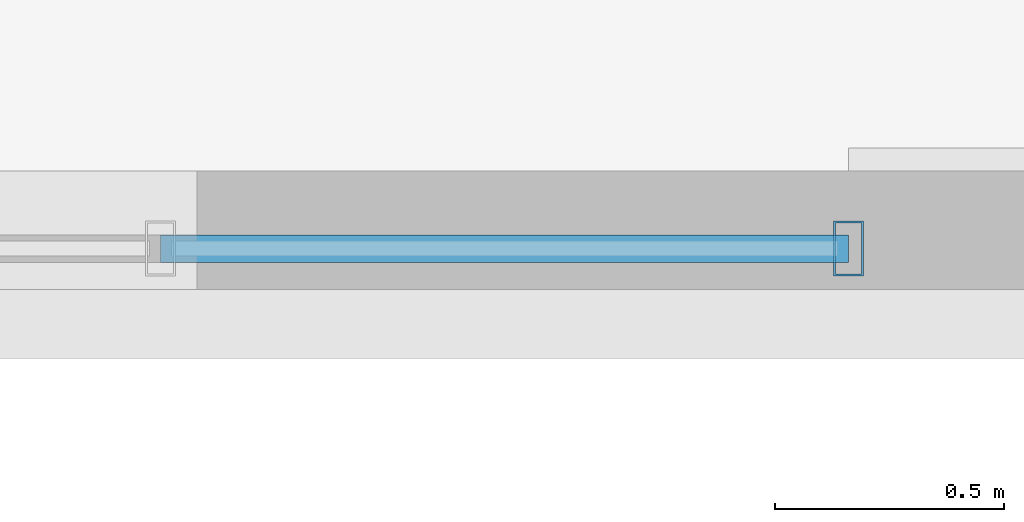
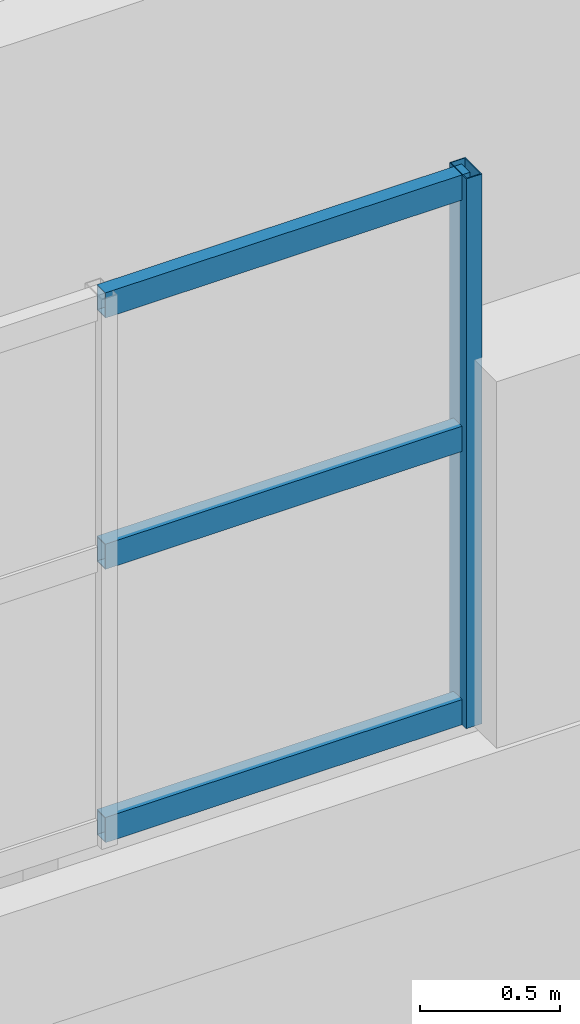
# One storey, part 42 of 174: 4 members, 1 element without a shape of its own.
"""IFC4 building model written with IfcOpenShell, lengths in metres."""

from ifc_helpers import new_model, si_unit, direction, frame, origin, origin_2d, place, context, subcontext, project, spatial, hollow_rectangle, extrude, material, material_profile, profile_set, type_object, element, aggregate, save


model = new_model("IFC4")

# Units and contexts
model_context = context("Model", 3, precision=1e-05, world=origin(), true_north=direction((0.0, 1.0)))
body_context = subcontext(model_context, "Body", "Model", "MODEL_VIEW")
ifc_project = project(units=[si_unit("LENGTHUNIT", "METRE"), si_unit("AREAUNIT", "SQUARE_METRE"), si_unit("VOLUMEUNIT", "CUBIC_METRE"), si_unit("PLANEANGLEUNIT", "RADIAN"), si_unit("MASSUNIT", "GRAM", prefix="KILO")], contexts=[model_context])

# Site, building, storey
site_placement = place(None, origin())
site = spatial("IfcSite", under=ifc_project, at=site_placement, CompositionType="ELEMENT")
building_placement = place(site_placement, origin())
building = spatial("IfcBuilding", under=site, at=building_placement, Name="Mavantir Sound Aquarium", CompositionType="ELEMENT")
storey_placement = place(building_placement, frame((0.0, 0.0, 5.39990234375)))
storey = spatial("IfcBuildingStorey", under=building, at=storey_placement, Name="L01", CompositionType="ELEMENT", Elevation=5.39990234375)

# Curtain wall, members
ifc_material_1 = material(Name="Anodised Marine Aluminium and Low-E Glass", Category="aluminium")
curtain_wall_type = type_object("IfcCurtainWallType", Name="CW-T17", PredefinedType="USERDEFINED", material=ifc_material_1)
curtain_wall_placement = place(storey_placement, origin())
curtain_wall = element("IfcCurtainWall", 1, at=curtain_wall_placement, inside=storey, type_object=curtain_wall_type, Name="L01 unitised curtain wall CW-17 184", ObjectType="UNITISED GLAZING", PredefinedType="USERDEFINED")
ifc_material_2 = material(Name="Anodised Marine Aluminium 6063-T6", Category="aluminium")
ifc_material_profile_1 = material_profile(ifc_material_2, hollow_rectangle(XDim=0.06494140625, YDim=0.1201171875, WallThickness=0.00390625, at=origin_2d()), Name="ALU-MULLION-120X65")
ifc_profile_set_1 = profile_set([ifc_material_profile_1], Name="Anodised Marine Aluminium 6063-T6")
member_type_1 = type_object("IfcMemberType", Name="CW-MUL-120", PredefinedType="MULLION", material=ifc_profile_set_1)
member_1_placement = place(storey_placement, frame((87.800048828125, 14.39990234375, 5.10009765625), z_axis=(0.0, 0.0, 1.0), x_axis=(1.0, 0.0, 0.0)))
member_1 = element("IfcMember", 2, at=member_1_placement, type_object=member_type_1, Name="CW-V7LUN-SE vertical mullion 5", PredefinedType="MULLION", context=body_context, shape_type="SweptSolid", body=[
    extrude(hollow_rectangle(XDim=0.06494140625, YDim=0.1201171875, WallThickness=0.00390625, at=origin_2d()), origin(), (0.0, 0.0, 1.0), 2.39990234375),
])
ifc_material_profile_2 = material_profile(ifc_material_2, hollow_rectangle(XDim=0.06005859375, YDim=0.110107421875, WallThickness=0.00390625, at=origin_2d()), Name="ALU-TRANSOM-110X60")
ifc_profile_set_2 = profile_set([ifc_material_profile_2], Name="Anodised Marine Aluminium 6063-T6")
member_type_2 = type_object("IfcMemberType", Name="CW-TRN-110", PredefinedType="USERDEFINED", material=ifc_profile_set_2)
member_2_placement = place(storey_placement, frame((86.294921875, 14.39990234375, 5.155029296875), z_axis=(1.0, 0.0, 0.0), x_axis=(0.0, 1.0, 0.0)))
member_2 = element("IfcMember", 3, at=member_2_placement, type_object=member_type_2, Name="CW-V7LUN-SE transom 4.1", ObjectType="TRANSOM", PredefinedType="USERDEFINED", context=body_context, shape_type="SweptSolid", body=[
    extrude(hollow_rectangle(XDim=0.06005859375, YDim=0.110107421875, WallThickness=0.00390625, at=origin_2d()), origin(), (0.0, 0.0, 1.0), 1.505126953125),
])
member_3_placement = place(storey_placement, frame((86.294921875, 14.39990234375, 6.34814453125), z_axis=(1.0, 0.0, 0.0), x_axis=(0.0, 1.0, 0.0)))
member_3 = element("IfcMember", 4, at=member_3_placement, type_object=member_type_2, Name="CW-V7LUN-SE transom 4.2", ObjectType="TRANSOM", PredefinedType="USERDEFINED", context=body_context, shape_type="SweptSolid", body=[
    extrude(hollow_rectangle(XDim=0.06005859375, YDim=0.110107421875, WallThickness=0.00390625, at=origin_2d()), origin(), (0.0, 0.0, 1.0), 1.505126953125),
])
member_4_placement = place(storey_placement, frame((86.294921875, 14.39990234375, 7.445068359375), z_axis=(1.0, 0.0, 0.0), x_axis=(0.0, 1.0, 0.0)))
member_4 = element("IfcMember", 5, at=member_4_placement, type_object=member_type_2, Name="CW-V7LUN-SE transom 4.3", ObjectType="TRANSOM", PredefinedType="USERDEFINED", context=body_context, shape_type="SweptSolid", body=[
    extrude(hollow_rectangle(XDim=0.06005859375, YDim=0.110107421875, WallThickness=0.00390625, at=origin_2d()), origin(), (0.0, 0.0, 1.0), 1.505126953125),
])
aggregate(curtain_wall, [member_1, member_2, member_3, member_4])

save(model, "model.ifc")
